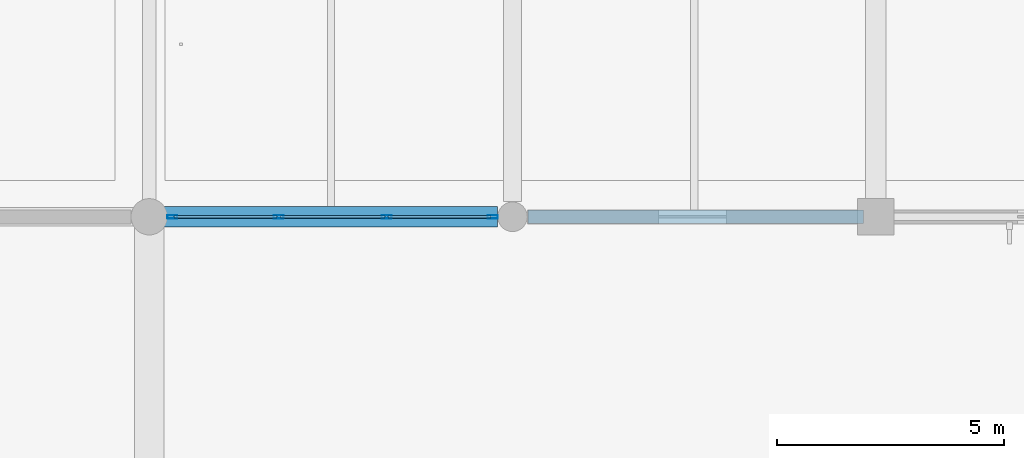
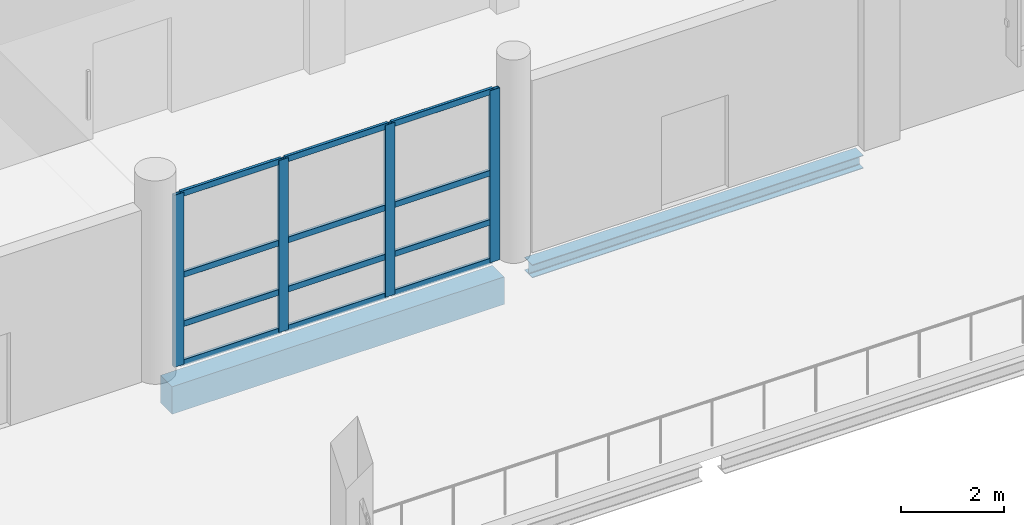
# One storey, part 40 of 141: 16 members, 2 beams, 1 element without a shape of its own.
"""IFC4 building model written with IfcOpenShell, lengths in metres."""

from ifc_helpers import new_model, si_unit, direction, frame, origin, origin_2d, place, context, subcontext, project, spatial, rectangle, hollow_rectangle, i_section, extrude, material, material_profile, profile_set, type_object, element, aggregate, save


model = new_model("IFC4")

# Units and contexts
model_context = context("Model", 3, precision=1e-05, world=origin(), true_north=direction((0.0, 1.0)))
body_context = subcontext(model_context, "Body", "Model", "MODEL_VIEW")
ifc_project = project(units=[si_unit("LENGTHUNIT", "METRE"), si_unit("AREAUNIT", "SQUARE_METRE"), si_unit("VOLUMEUNIT", "CUBIC_METRE"), si_unit("PLANEANGLEUNIT", "RADIAN"), si_unit("MASSUNIT", "GRAM", prefix="KILO")], contexts=[model_context])

# Site, building, storey
site_placement = place(None, origin())
site = spatial("IfcSite", under=ifc_project, at=site_placement, CompositionType="ELEMENT")
building_placement = place(site_placement, origin())
building = spatial("IfcBuilding", under=site, at=building_placement, Name="Khelvaren Railside Concert Hall", CompositionType="ELEMENT")
storey_placement = place(building_placement, frame((0.0, 0.0, 10.199951171875)))
storey = spatial("IfcBuildingStorey", under=building, at=storey_placement, Name="L02", CompositionType="ELEMENT", Elevation=10.199951171875)

# Curtain wall, members
ifc_material_1 = material(Name="Double-glazed clear foyer glass", Category="glass")
curtain_wall_type = type_object("IfcCurtainWallType", Name="CW64", PredefinedType="USERDEFINED", material=ifc_material_1)
curtain_wall_placement = place(storey_placement, origin())
curtain_wall = element("IfcCurtainWall", 1, at=curtain_wall_placement, inside=storey, type_object=curtain_wall_type, Name="Unitised Curtain Wall CW-V4-L02-S-16", ObjectType="UNITISED CURTAIN WALL", PredefinedType="USERDEFINED")
ifc_material_2 = material(Name="Anodised architectural aluminium 6063-T6", Category="aluminium")
ifc_material_profile_1 = material_profile(ifc_material_2, hollow_rectangle(XDim=0.074951171875, YDim=0.219970703125, WallThickness=0.0048828125, InnerFilletRadius=0.0029296875, OuterFilletRadius=0.0048828125, at=origin_2d()), Name="CWM 75x220x5")
ifc_profile_set_1 = profile_set([ifc_material_profile_1], Name="Anodised architectural aluminium 6063-T6")
member_type_1 = type_object("IfcMemberType", Name="CWM13", PredefinedType="MULLION", material=ifc_profile_set_1)
member_1_placement = place(storey_placement, frame((23.56494140625, 76.0, 0.0), z_axis=(0.0, 0.0, 1.0), x_axis=(0.0, -1.0, 0.0)))
member_1 = element("IfcMember", 2, at=member_1_placement, type_object=member_type_1, Name="CW64 mullion 1", PredefinedType="MULLION", context=body_context, shape_type="SweptSolid", body=[
    extrude(hollow_rectangle(XDim=0.074951171875, YDim=0.219970703125, WallThickness=0.0048828125, InnerFilletRadius=0.0029296875, OuterFilletRadius=0.0048828125, at=origin_2d()), origin(), (0.0, 0.0, 1.0), 4.06005859375),
])
member_2_placement = place(storey_placement, frame((21.225830078125, 76.0, 0.0), z_axis=(0.0, 0.0, 1.0), x_axis=(0.0, -1.0, 0.0)))
member_2 = element("IfcMember", 3, at=member_2_placement, type_object=member_type_1, Name="CW64 mullion 2", PredefinedType="MULLION", context=body_context, shape_type="SweptSolid", body=[
    extrude(hollow_rectangle(XDim=0.074951171875, YDim=0.219970703125, WallThickness=0.0048828125, InnerFilletRadius=0.0029296875, OuterFilletRadius=0.0048828125, at=origin_2d()), origin(), (0.0, 0.0, 1.0), 4.06005859375),
])
member_3_placement = place(storey_placement, frame((18.84912109375, 76.0, 0.0), z_axis=(0.0, 0.0, 1.0), x_axis=(0.0, -1.0, 0.0)))
member_3 = element("IfcMember", 4, at=member_3_placement, type_object=member_type_1, Name="CW64 mullion 3", PredefinedType="MULLION", context=body_context, shape_type="SweptSolid", body=[
    extrude(hollow_rectangle(XDim=0.074951171875, YDim=0.219970703125, WallThickness=0.0048828125, InnerFilletRadius=0.0029296875, OuterFilletRadius=0.0048828125, at=origin_2d()), origin(), (0.0, 0.0, 1.0), 4.06005859375),
])
member_4_placement = place(storey_placement, frame((16.510009765625, 76.0, 0.0), z_axis=(0.0, 0.0, 1.0), x_axis=(0.0, -1.0, 0.0)))
member_4 = element("IfcMember", 5, at=member_4_placement, type_object=member_type_1, Name="CW64 mullion 4", PredefinedType="MULLION", context=body_context, shape_type="SweptSolid", body=[
    extrude(hollow_rectangle(XDim=0.074951171875, YDim=0.219970703125, WallThickness=0.0048828125, InnerFilletRadius=0.0029296875, OuterFilletRadius=0.0048828125, at=origin_2d()), origin(), (0.0, 0.0, 1.0), 4.06005859375),
])
ifc_material_profile_2 = material_profile(ifc_material_2, hollow_rectangle(XDim=0.06494140625, YDim=0.139892578125, WallThickness=0.00390625, InnerFilletRadius=0.001953125, OuterFilletRadius=0.00390625, at=origin_2d()), Name="CWT 65x140x4")
ifc_profile_set_2 = profile_set([ifc_material_profile_2], Name="Anodised architectural aluminium 6063-T6")
member_type_2 = type_object("IfcMemberType", Name="CWT72", PredefinedType="USERDEFINED", material=ifc_profile_set_2)
member_5_placement = place(storey_placement, frame((23.527587890625, 76.0, 0.032470703125), z_axis=(-1.0, 0.0, 0.0), x_axis=(0.0, -1.0, 0.0)))
member_5 = element("IfcMember", 6, at=member_5_placement, type_object=member_type_2, Name="CW64 transom 1.1", ObjectType="TRANSOM", PredefinedType="USERDEFINED", context=body_context, shape_type="SweptSolid", body=[
    extrude(hollow_rectangle(XDim=0.06494140625, YDim=0.139892578125, WallThickness=0.00390625, InnerFilletRadius=0.001953125, OuterFilletRadius=0.00390625, at=origin_2d()), origin(), (0.0, 0.0, 1.0), 2.26416015625),
])
member_6_placement = place(storey_placement, frame((23.527587890625, 76.0, 0.949951171875), z_axis=(-1.0, 0.0, 0.0), x_axis=(0.0, -1.0, 0.0)))
member_6 = element("IfcMember", 7, at=member_6_placement, type_object=member_type_2, Name="CW64 transom 1.2", ObjectType="TRANSOM", PredefinedType="USERDEFINED", context=body_context, shape_type="SweptSolid", body=[
    extrude(hollow_rectangle(XDim=0.06494140625, YDim=0.139892578125, WallThickness=0.00390625, InnerFilletRadius=0.001953125, OuterFilletRadius=0.00390625, at=origin_2d()), origin(), (0.0, 0.0, 1.0), 2.26416015625),
])
member_7_placement = place(storey_placement, frame((23.527587890625, 76.0, 2.111328125), z_axis=(-1.0, 0.0, 0.0), x_axis=(0.0, -1.0, 0.0)))
member_7 = element("IfcMember", 8, at=member_7_placement, type_object=member_type_2, Name="CW64 transom 1.3", ObjectType="TRANSOM", PredefinedType="USERDEFINED", context=body_context, shape_type="SweptSolid", body=[
    extrude(hollow_rectangle(XDim=0.06494140625, YDim=0.139892578125, WallThickness=0.00390625, InnerFilletRadius=0.001953125, OuterFilletRadius=0.00390625, at=origin_2d()), origin(), (0.0, 0.0, 1.0), 2.26416015625),
])
member_8_placement = place(storey_placement, frame((23.527587890625, 76.0, 4.027587890625), z_axis=(-1.0, 0.0, 0.0), x_axis=(0.0, -1.0, 0.0)))
member_8 = element("IfcMember", 9, at=member_8_placement, type_object=member_type_2, Name="CW64 transom 1.4", ObjectType="TRANSOM", PredefinedType="USERDEFINED", context=body_context, shape_type="SweptSolid", body=[
    extrude(hollow_rectangle(XDim=0.06494140625, YDim=0.139892578125, WallThickness=0.00390625, InnerFilletRadius=0.001953125, OuterFilletRadius=0.00390625, at=origin_2d()), origin(), (0.0, 0.0, 1.0), 2.26416015625),
])
member_9_placement = place(storey_placement, frame((21.188232421875, 76.0, 0.032470703125), z_axis=(-1.0, 0.0, 0.0), x_axis=(0.0, -1.0, 0.0)))
member_9 = element("IfcMember", 10, at=member_9_placement, type_object=member_type_2, Name="CW64 transom 2.1", ObjectType="TRANSOM", PredefinedType="USERDEFINED", context=body_context, shape_type="SweptSolid", body=[
    extrude(hollow_rectangle(XDim=0.06494140625, YDim=0.139892578125, WallThickness=0.00390625, InnerFilletRadius=0.001953125, OuterFilletRadius=0.00390625, at=origin_2d()), origin(), (0.0, 0.0, 1.0), 2.301513671875),
])
member_10_placement = place(storey_placement, frame((21.188232421875, 76.0, 0.949951171875), z_axis=(-1.0, 0.0, 0.0), x_axis=(0.0, -1.0, 0.0)))
member_10 = element("IfcMember", 11, at=member_10_placement, type_object=member_type_2, Name="CW64 transom 2.2", ObjectType="TRANSOM", PredefinedType="USERDEFINED", context=body_context, shape_type="SweptSolid", body=[
    extrude(hollow_rectangle(XDim=0.06494140625, YDim=0.139892578125, WallThickness=0.00390625, InnerFilletRadius=0.001953125, OuterFilletRadius=0.00390625, at=origin_2d()), origin(), (0.0, 0.0, 1.0), 2.301513671875),
])
member_11_placement = place(storey_placement, frame((21.188232421875, 76.0, 2.111328125), z_axis=(-1.0, 0.0, 0.0), x_axis=(0.0, -1.0, 0.0)))
member_11 = element("IfcMember", 12, at=member_11_placement, type_object=member_type_2, Name="CW64 transom 2.3", ObjectType="TRANSOM", PredefinedType="USERDEFINED", context=body_context, shape_type="SweptSolid", body=[
    extrude(hollow_rectangle(XDim=0.06494140625, YDim=0.139892578125, WallThickness=0.00390625, InnerFilletRadius=0.001953125, OuterFilletRadius=0.00390625, at=origin_2d()), origin(), (0.0, 0.0, 1.0), 2.301513671875),
])
member_12_placement = place(storey_placement, frame((21.188232421875, 76.0, 4.027587890625), z_axis=(-1.0, 0.0, 0.0), x_axis=(0.0, -1.0, 0.0)))
member_12 = element("IfcMember", 13, at=member_12_placement, type_object=member_type_2, Name="CW64 transom 2.4", ObjectType="TRANSOM", PredefinedType="USERDEFINED", context=body_context, shape_type="SweptSolid", body=[
    extrude(hollow_rectangle(XDim=0.06494140625, YDim=0.139892578125, WallThickness=0.00390625, InnerFilletRadius=0.001953125, OuterFilletRadius=0.00390625, at=origin_2d()), origin(), (0.0, 0.0, 1.0), 2.301513671875),
])
member_13_placement = place(storey_placement, frame((18.811767578125, 76.0, 0.032470703125), z_axis=(-1.0, 0.0, 0.0), x_axis=(0.0, -1.0, 0.0)))
member_13 = element("IfcMember", 14, at=member_13_placement, type_object=member_type_2, Name="CW64 transom 3.1", ObjectType="TRANSOM", PredefinedType="USERDEFINED", context=body_context, shape_type="SweptSolid", body=[
    extrude(hollow_rectangle(XDim=0.06494140625, YDim=0.139892578125, WallThickness=0.00390625, InnerFilletRadius=0.001953125, OuterFilletRadius=0.00390625, at=origin_2d()), origin(), (0.0, 0.0, 1.0), 2.26416015625),
])
member_14_placement = place(storey_placement, frame((18.811767578125, 76.0, 0.949951171875), z_axis=(-1.0, 0.0, 0.0), x_axis=(0.0, -1.0, 0.0)))
member_14 = element("IfcMember", 15, at=member_14_placement, type_object=member_type_2, Name="CW64 transom 3.2", ObjectType="TRANSOM", PredefinedType="USERDEFINED", context=body_context, shape_type="SweptSolid", body=[
    extrude(hollow_rectangle(XDim=0.06494140625, YDim=0.139892578125, WallThickness=0.00390625, InnerFilletRadius=0.001953125, OuterFilletRadius=0.00390625, at=origin_2d()), origin(), (0.0, 0.0, 1.0), 2.26416015625),
])
member_15_placement = place(storey_placement, frame((18.811767578125, 76.0, 2.111328125), z_axis=(-1.0, 0.0, 0.0), x_axis=(0.0, -1.0, 0.0)))
member_15 = element("IfcMember", 16, at=member_15_placement, type_object=member_type_2, Name="CW64 transom 3.3", ObjectType="TRANSOM", PredefinedType="USERDEFINED", context=body_context, shape_type="SweptSolid", body=[
    extrude(hollow_rectangle(XDim=0.06494140625, YDim=0.139892578125, WallThickness=0.00390625, InnerFilletRadius=0.001953125, OuterFilletRadius=0.00390625, at=origin_2d()), origin(), (0.0, 0.0, 1.0), 2.26416015625),
])
member_16_placement = place(storey_placement, frame((18.811767578125, 76.0, 4.027587890625), z_axis=(-1.0, 0.0, 0.0), x_axis=(0.0, -1.0, 0.0)))
member_16 = element("IfcMember", 17, at=member_16_placement, type_object=member_type_2, Name="CW64 transom 3.4", ObjectType="TRANSOM", PredefinedType="USERDEFINED", context=body_context, shape_type="SweptSolid", body=[
    extrude(hollow_rectangle(XDim=0.06494140625, YDim=0.139892578125, WallThickness=0.00390625, InnerFilletRadius=0.001953125, OuterFilletRadius=0.00390625, at=origin_2d()), origin(), (0.0, 0.0, 1.0), 2.26416015625),
])
aggregate(curtain_wall, [member_1, member_2, member_3, member_4, member_5, member_6, member_7, member_8, member_9, member_10, member_11, member_12, member_13, member_14, member_15, member_16])

# Beams
ifc_material_3 = material(Name="Concrete C40/50", Category="concrete")
ifc_material_profile_3 = material_profile(ifc_material_3, rectangle(XDim=0.449951171875, YDim=0.64990234375, at=origin_2d()), Name="RCB 450x650")
ifc_profile_set_3 = profile_set([ifc_material_profile_3], Name="Concrete C40/50")
beam_type_1 = type_object("IfcBeamType", Name="SP34", PredefinedType="SPANDREL", material=ifc_profile_set_3)
beam_1_placement = place(storey_placement, frame((16.25, 76.0, -0.614990234375), z_axis=(1.0, 0.0, 0.0), x_axis=(0.0, 1.0, 0.0)))
element("IfcBeam", 18, at=beam_1_placement, inside=storey, type_object=beam_type_1, Name="V4 L02 Spandrel X2.3", PredefinedType="SPANDREL", context=body_context, shape_type="SweptSolid", body=[
    extrude(rectangle(XDim=0.449951171875, YDim=0.64990234375, at=origin_2d()), origin(), (0.0, 0.0, 1.0), 7.4140625),
])
ifc_material_4 = material(Name="Steel S355", Category="steel")
ifc_material_profile_4 = material_profile(ifc_material_4, i_section(OverallWidth=0.300048828125, OverallDepth=0.31005859375, WebThickness=0.009033203125, FlangeThickness=0.015380859375, FilletRadius=0.027099609375, at=origin_2d()), Name="HEA 320")
ifc_profile_set_4 = profile_set([ifc_material_profile_4], Name="Steel S355")
beam_type_2 = type_object("IfcBeamType", Name="SP66", PredefinedType="SPANDREL", material=ifc_profile_set_4)
beam_2_placement = place(storey_placement, frame((24.3359375, 76.0, -0.445068359375), z_axis=(1.0, 0.0, 0.0), x_axis=(0.0, 1.0, 0.0)))
element("IfcBeam", 19, at=beam_2_placement, inside=storey, type_object=beam_type_2, Name="V4 L02 Spandrel X2.4", PredefinedType="SPANDREL", context=body_context, shape_type="SweptSolid", body=[
    extrude(i_section(OverallWidth=0.300048828125, OverallDepth=0.31005859375, WebThickness=0.009033203125, FlangeThickness=0.015380859375, FilletRadius=0.027099609375, at=origin_2d()), origin(), (0.0, 0.0, 1.0), 7.39111328125),
])

save(model, "model.ifc")
